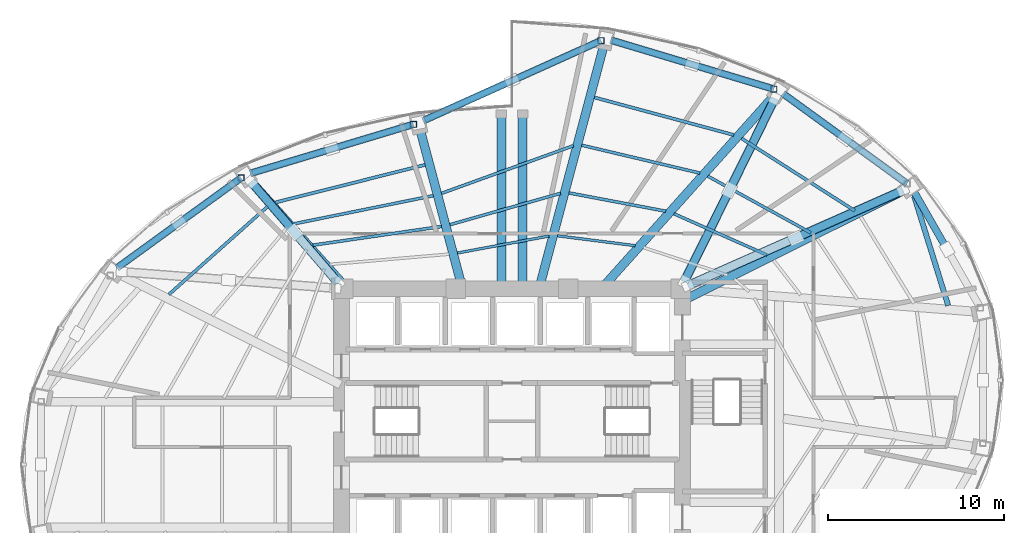
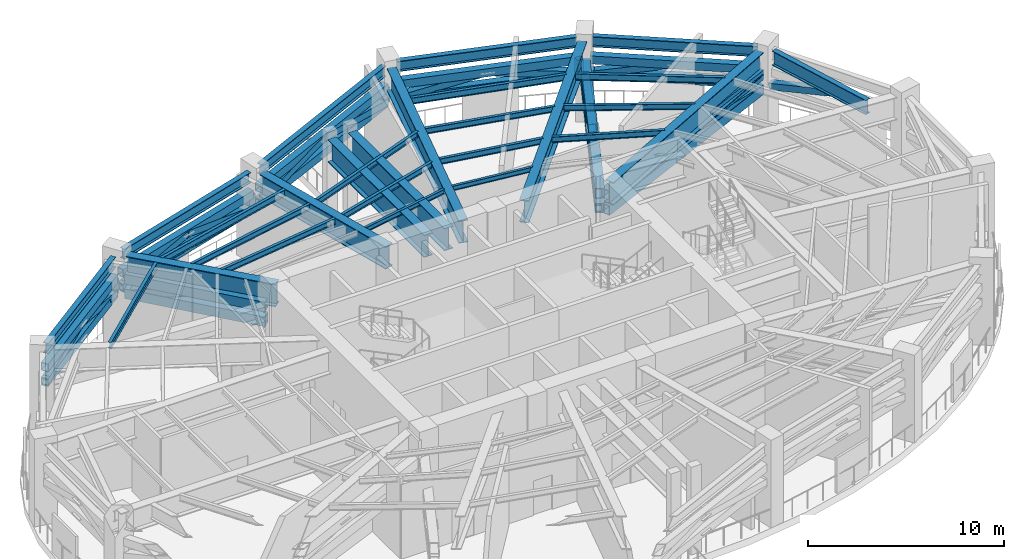
# One storey, part 5 of 14: 34 members, 27 beams.
"""IFC4 building model written with IfcOpenShell, lengths in metres."""

import ifcopenshell
import ifcopenshell.guid

model = None  # the IFC model being written
_history = None  # IfcOwnerHistory: only IFC2X3 demands one
_inside = {}  # id of a spatial element -> (the spatial element, [elements in it])
_under = {}  # id of a project, library or spatial element -> (it, [spatial elements below it])
_declared = {}  # id of a project -> (the project, [libraries it declares])
_typed = {}  # id of a type object -> (the type object, [elements of that type])
_made_of = {}  # id of a material, layer set ... -> (it, [elements and type objects made of it])


def new_model(schema):
    """Start an empty IFC model of exactly this schema.

    Asked for "IFC4X3", IfcOpenShell would pick the latest addendum, in which some entities
    have other attributes; the version numbers below select the first issue.
    IFC2X3 requires an IfcOwnerHistory on every rooted entity: one is made here for all.
    """
    global model, _history
    if schema == "IFC4X3":
        model = ifcopenshell.file(schema_version=(4, 3, 0, 0))
    else:
        model = ifcopenshell.file(schema=schema)
    _inside.clear()
    _under.clear()
    _declared.clear()
    _typed.clear()
    _made_of.clear()
    _history = None
    if model.schema == "IFC2X3":
        org = make("IfcOrganization", Name="unknown")
        user = make(
            "IfcPersonAndOrganization",
            ThePerson=make("IfcPerson", FamilyName="unknown"),
            TheOrganization=org,
        )
        app = make(
            "IfcApplication",
            ApplicationDeveloper=org,
            Version="unknown",
            ApplicationFullName="unknown",
            ApplicationIdentifier="unknown",
        )
        _history = make(
            "IfcOwnerHistory",
            OwningUser=user,
            OwningApplication=app,
            ChangeAction="ADDED",
            CreationDate=0,
        )
    return model


def make(cls, **values):
    """One entity of the class cls with the attributes given. An attribute that is None is left unset."""
    return model.create_entity(
        cls, **{name: value for name, value in values.items() if value is not None}
    )


def rooted(cls, **values):
    """An entity with a GlobalId (a new one), such as an element, a storey or a relation."""
    return make(cls, GlobalId=ifcopenshell.guid.new(), OwnerHistory=_history, **values)


def si_unit(unit_type, name, prefix=None):
    """IfcSIUnit, for example si_unit("LENGTHUNIT", "METRE", prefix="MILLI")."""
    return make("IfcSIUnit", UnitType=unit_type, Prefix=prefix, Name=name)


def assignment(units):
    """IfcUnitAssignment: the units of a project."""
    return None if units is None else make("IfcUnitAssignment", Units=units)


def point(xyz):
    """IfcCartesianPoint."""
    return None if xyz is None else make("IfcCartesianPoint", Coordinates=xyz)


def direction(xyz):
    """IfcDirection."""
    return None if xyz is None else make("IfcDirection", DirectionRatios=xyz)


def frame(location, z_axis=None, x_axis=None):
    """IfcAxis2Placement3D, a coordinate frame: its origin and axes. An axis left out is left unset."""
    return make(
        "IfcAxis2Placement3D",
        Location=point(location),
        Axis=direction(z_axis),
        RefDirection=direction(x_axis),
    )


def frame_2d(location, x_axis=None):
    """IfcAxis2Placement2D, a coordinate frame in the plane: its origin and x axis."""
    return make(
        "IfcAxis2Placement2D", Location=point(location), RefDirection=direction(x_axis)
    )


def origin():
    """The frame at (0, 0, 0) with its axes left unset."""
    return frame((0.0, 0.0, 0.0))


def origin_2d():
    """The frame at (0, 0) in the plane with its x axis left unset."""
    return frame_2d((0.0, 0.0))


def place(relative_to, where):
    """IfcLocalPlacement: puts the frame where relative to a parent placement (None: the world)."""
    return make(
        "IfcLocalPlacement", PlacementRelTo=relative_to, RelativePlacement=where
    )


def context(
    kind, dimensions, precision=None, world=None, true_north=None, identifier=None
):
    """IfcGeometricRepresentationContext, for example the 3D "Model" context."""
    return make(
        "IfcGeometricRepresentationContext",
        ContextIdentifier=identifier,
        ContextType=kind,
        CoordinateSpaceDimension=dimensions,
        Precision=precision,
        WorldCoordinateSystem=world,
        TrueNorth=true_north,
    )


def subcontext(parent, identifier, kind, view, scale=None):
    """IfcGeometricRepresentationSubContext, for example "Body" below "Model"."""
    return make(
        "IfcGeometricRepresentationSubContext",
        ContextIdentifier=identifier,
        ContextType=kind,
        ParentContext=parent,
        TargetScale=scale,
        TargetView=view,
    )


def project(units=None, contexts=None):
    """IfcProject with its units and contexts."""
    return rooted(
        "IfcProject",
        Name="project",
        RepresentationContexts=contexts,
        UnitsInContext=assignment(units),
    )


def spatial(cls, under=None, at=None, **own):
    """A site, building, storey or space (cls), placed at a placement, below another one or the project."""
    s = rooted(cls, ObjectPlacement=at, **own)
    if under is not None:
        _under.setdefault(under.id(), (under, []))[1].append(s)
    return s


def profile(cls, at=None, kind="AREA", **sizes):
    """A parametric profile (cls). Its sizes go by their IFC names, for example OverallWidth=200.0."""
    return make(cls, ProfileType=kind, Position=at, **sizes)


def hollow_rectangle(**sizes):
    """IfcRectangleHollowProfileDef."""
    return profile("IfcRectangleHollowProfileDef", **sizes)


def i_section(**sizes):
    """IfcIShapeProfileDef."""
    return profile("IfcIShapeProfileDef", **sizes)


def extrude(swept, where, along, depth):
    """IfcExtrudedAreaSolid: the profile swept, set in the frame where, extruded along a direction by depth."""
    return make(
        "IfcExtrudedAreaSolid",
        SweptArea=swept,
        Position=where,
        ExtrudedDirection=direction(along),
        Depth=depth,
    )


def shape(context_of_items, identifier, shape_type, items):
    """IfcShapeRepresentation: the items that make up one representation, for example the "Body"."""
    return make(
        "IfcShapeRepresentation",
        ContextOfItems=context_of_items,
        RepresentationIdentifier=identifier,
        RepresentationType=shape_type,
        Items=items,
    )


def material(Name=None, Category=None):
    """IfcMaterial."""
    return make("IfcMaterial", Name=Name, Category=Category)


def material_profile(
    of_material, cross_section, Name=None, Category=None, Priority=None
):
    """IfcMaterialProfile: a cross section and its material."""
    return make(
        "IfcMaterialProfile",
        Name=Name,
        Material=of_material,
        Profile=cross_section,
        Priority=Priority,
        Category=Category,
    )


def profile_set(profiles, Name=None, composite=None):
    """IfcMaterialProfileSet."""
    return make(
        "IfcMaterialProfileSet",
        Name=Name,
        MaterialProfiles=profiles,
        CompositeProfile=composite,
    )


def made_of(thing, what):
    """Note that an element or type object is made of a material, layer set ...; save() writes the relation."""
    if what is not None:
        _made_of.setdefault(what.id(), (what, []))[1].append(thing)
    return thing


def type_object(cls, material=None, **own):
    """A type object (cls), such as IfcWallType, which elements share."""
    return made_of(rooted(cls, **own), material)


def element(
    cls,
    number,
    at=None,
    inside=None,
    cuts=None,
    type_object=None,
    material=None,
    context=None,
    identifier="Body",
    shape_type=None,
    held_by="IfcProductDefinitionShape",
    body=None,
    shapes=None,
    **own,
):
    """One element of the class cls, such as IfcWall. Its Tag is "e" and its number.

    at: its placement. inside: the storey or other place that contains it. cuts: it is an
    opening in that element (IfcRelVoidsElement). A single representation is given by context,
    identifier, shape_type and body (its items); several are given by shapes. held_by: the class
    of the entity that holds the representations. save() writes the other relations.
    """
    e = rooted(cls, Tag="e%d" % number, ObjectPlacement=at, **own)
    if body is not None:
        shapes = [shape(context, identifier, shape_type, body)]
    if shapes is not None:
        e.Representation = make(held_by, Representations=shapes)
    if inside is not None:
        _inside.setdefault(inside.id(), (inside, []))[1].append(e)
    if cuts is not None:
        rooted(
            "IfcRelVoidsElement", RelatingBuildingElement=cuts, RelatedOpeningElement=e
        )
    if type_object is not None:
        _typed.setdefault(type_object.id(), (type_object, []))[1].append(e)
    return made_of(e, material)


def aggregate(whole, parts):
    """IfcRelAggregates: a whole, such as a stair, and the parts it consists of."""
    return rooted("IfcRelAggregates", RelatingObject=whole, RelatedObjects=parts)


def save(model, path):
    """Write the relations noted so far, then the file.

    IfcRelAggregates (storeys below a building ...), IfcRelContainedInSpatialStructure (elements
    in a storey), IfcRelDefinesByType, IfcRelAssociatesMaterial and IfcRelDeclares: one each for
    every whole, place, type object, material and project.
    """
    for whole, parts in _under.values():
        aggregate(whole, parts)
    for where, things in _inside.values():
        rooted(
            "IfcRelContainedInSpatialStructure",
            RelatedElements=things,
            RelatingStructure=where,
        )
    for kind, things in _typed.values():
        rooted("IfcRelDefinesByType", RelatedObjects=things, RelatingType=kind)
    for what, things in _made_of.values():
        rooted("IfcRelAssociatesMaterial", RelatedObjects=things, RelatingMaterial=what)
    for by, libraries in _declared.values():
        rooted("IfcRelDeclares", RelatingContext=by, RelatedDefinitions=libraries)
    model.write(path)


model = new_model("IFC4")

# Units and contexts
model_context = context("Model", 3, precision=1e-05, world=origin(), true_north=direction((0.0, 1.0)))
body_context = subcontext(model_context, "Body", "Model", "MODEL_VIEW")
ifc_project = project(units=[si_unit("LENGTHUNIT", "METRE"), si_unit("AREAUNIT", "SQUARE_METRE"), si_unit("VOLUMEUNIT", "CUBIC_METRE"), si_unit("PLANEANGLEUNIT", "RADIAN"), si_unit("MASSUNIT", "GRAM", prefix="KILO")], contexts=[model_context])

# Site, building, storey
site_placement = place(None, origin())
site = spatial("IfcSite", under=ifc_project, at=site_placement, CompositionType="ELEMENT")
building_placement = place(site_placement, origin())
building = spatial("IfcBuilding", under=site, at=building_placement, Name="Lazwardi Medical Tower", CompositionType="ELEMENT")
storey_placement = place(building_placement, frame((0.0, 0.0, 76.27197265625)))
storey = spatial("IfcBuildingStorey", under=building, at=storey_placement, Name="L19", CompositionType="ELEMENT", Elevation=76.27197265625)

# Beams
ifc_material_1 = material(Name="Steel S460", Category="steel")
ifc_material_profile_1 = material_profile(ifc_material_1, i_section(OverallWidth=0.300048828125, OverallDepth=0.89990234375, WebThickness=0.0185546875, FlangeThickness=0.034912109375, at=origin_2d()), Name="HEB 900")
ifc_profile_set_1 = profile_set([ifc_material_profile_1], Name="Steel S460")
beam_type_1 = type_object("IfcBeamType", Name="BM-HB-01", PredefinedType="BEAM", material=ifc_profile_set_1)
beam_1_placement = place(storey_placement, frame((60.823974609375, 34.649169921875, 4.572021484375), z_axis=(-0.296989979548, 0.954880595702, 0.0), x_axis=(-0.954880595702, -0.296989979548, 0.0)))
element("IfcBeam", 1, at=beam_1_placement, inside=storey, type_object=beam_type_1, Name="Transfer girder tie HB-01 M05 L19", PredefinedType="BEAM", context=body_context, shape_type="SweptSolid", body=[
    extrude(i_section(OverallWidth=0.300048828125, OverallDepth=0.89990234375, WebThickness=0.0185546875, FlangeThickness=0.034912109375, at=origin_2d()), origin(), (0.0, 0.0, 1.0), 6.524658203125),
])
ifc_material_2 = material(Name="Steel S355", Category="steel")
ifc_material_profile_2 = material_profile(ifc_material_2, i_section(OverallWidth=0.300048828125, OverallDepth=0.64990234375, WebThickness=0.01611328125, FlangeThickness=0.031005859375, at=origin_2d()), Name="HEB 650")
ifc_profile_set_2 = profile_set([ifc_material_profile_2], Name="Steel S355")
beam_type_2 = type_object("IfcBeamType", Name="BM-RB-Z1", PredefinedType="BEAM", material=ifc_profile_set_2)
beam_2_placement = place(storey_placement, frame((58.3798828125, 41.660888671875, 4.697021484375), z_axis=(-0.809407079515, 0.587247971159, 0.0), x_axis=(-0.587247971159, -0.809407079515, 0.0)))
element("IfcBeam", 2, at=beam_2_placement, inside=storey, type_object=beam_type_2, Name="Ring beam RB-02 B06 L19", PredefinedType="BEAM", context=body_context, shape_type="SweptSolid", body=[
    extrude(i_section(OverallWidth=0.300048828125, OverallDepth=0.64990234375, WebThickness=0.01611328125, FlangeThickness=0.031005859375, at=origin_2d()), origin(), (0.0, 0.0, 1.0), 8.473876953125),
])
beam_3_placement = place(storey_placement, frame((50.77880859375, 47.0048828125, 4.697021484375), z_axis=(-0.957695289269, 0.287784177662, 0.0), x_axis=(-0.287784177662, -0.957695289269, 0.0)))
element("IfcBeam", 3, at=beam_3_placement, inside=storey, type_object=beam_type_2, Name="Ring beam RB-02 B07 L19", PredefinedType="BEAM", context=body_context, shape_type="SweptSolid", body=[
    extrude(i_section(OverallWidth=0.300048828125, OverallDepth=0.64990234375, WebThickness=0.01611328125, FlangeThickness=0.031005859375, at=origin_2d()), origin(), (0.0, 0.0, 1.0), 9.445556640625),
])
beam_4_placement = place(storey_placement, frame((40.94775390625, 49.671630859375, 4.697021484375), z_axis=(-0.91184908894, -0.410525564368, 0.0), x_axis=(0.410525564368, -0.91184908894, 0.0)))
element("IfcBeam", 4, at=beam_4_placement, inside=storey, type_object=beam_type_2, Name="Ring beam RB-02 B08 L19", PredefinedType="BEAM", context=body_context, shape_type="SweptSolid", body=[
    extrude(i_section(OverallWidth=0.300048828125, OverallDepth=0.64990234375, WebThickness=0.01611328125, FlangeThickness=0.031005859375, at=origin_2d()), origin(), (0.0, 0.0, 1.0), 10.85205078125),
])
beam_5_placement = place(storey_placement, frame((30.26708984375, 44.923095703125, 4.697021484375), z_axis=(-0.957695289269, -0.287784177662, 0.0), x_axis=(0.287784177662, -0.957695289269, 0.0)))
element("IfcBeam", 5, at=beam_5_placement, inside=storey, type_object=beam_type_2, Name="Ring beam RB-02 B09 L19", PredefinedType="BEAM", context=body_context, shape_type="SweptSolid", body=[
    extrude(i_section(OverallWidth=0.300048828125, OverallDepth=0.64990234375, WebThickness=0.01611328125, FlangeThickness=0.031005859375, at=origin_2d()), origin(), (0.0, 0.0, 1.0), 9.445556640625),
])
beam_6_placement = place(storey_placement, frame((20.47900390625, 41.83740234375, 4.697021484375), z_axis=(-0.80939338516, -0.5872668457, 0.0), x_axis=(0.5872668457, -0.80939338516, 0.0)))
element("IfcBeam", 6, at=beam_6_placement, inside=storey, type_object=beam_type_2, Name="Ring beam RB-02 B10 L19", PredefinedType="BEAM", context=body_context, shape_type="SweptSolid", body=[
    extrude(i_section(OverallWidth=0.300048828125, OverallDepth=0.64990234375, WebThickness=0.01611328125, FlangeThickness=0.031005859375, at=origin_2d()), origin(), (0.0, 0.0, 1.0), 8.47412109375),
])
ifc_material_profile_3 = material_profile(ifc_material_2, i_section(OverallWidth=0.179931640625, OverallDepth=0.39990234375, WebThickness=0.008544921875, FlangeThickness=0.013427734375, at=origin_2d()), Name="IPE 400")
ifc_profile_set_3 = profile_set([ifc_material_profile_3], Name="Steel S355")
beam_type_3 = type_object("IfcBeamType", Name="BM-SJ-01", PredefinedType="JOIST", material=ifc_profile_set_3)
beam_7_placement = place(storey_placement, frame((55.50439453125, 40.04443359375, 4.822021484375), z_axis=(-0.842531896871, 0.538646454323, 0.0), x_axis=(-0.538646454323, -0.842531896871, 0.0)))
element("IfcBeam", 7, at=beam_7_placement, inside=storey, type_object=beam_type_3, Name="Secondary joist SJ-01 R1 B06 L19", PredefinedType="JOIST", context=body_context, shape_type="SweptSolid", body=[
    extrude(i_section(OverallWidth=0.179931640625, OverallDepth=0.39990234375, WebThickness=0.008544921875, FlangeThickness=0.013427734375, at=origin_2d()), origin(), (0.0, 0.0, 1.0), 7.639404296875),
])
beam_8_placement = place(storey_placement, frame((48.624755859375, 44.35498046875, 4.822021484375), z_axis=(-0.965541984542, 0.260247336368, 0.0), x_axis=(-0.260247336368, -0.965541984542, 0.0)))
element("IfcBeam", 8, at=beam_8_placement, inside=storey, type_object=beam_type_3, Name="Secondary joist SJ-01 R1 B07 L19", PredefinedType="JOIST", context=body_context, shape_type="SweptSolid", body=[
    extrude(i_section(OverallWidth=0.179931640625, OverallDepth=0.39990234375, WebThickness=0.008544921875, FlangeThickness=0.013427734375, at=origin_2d()), origin(), (0.0, 0.0, 1.0), 8.216064453125),
])
beam_9_placement = place(storey_placement, frame((31.051513671875, 42.656982421875, 4.822021484375), z_axis=(-0.969808661786, -0.243867093978, 0.0), x_axis=(0.243867093978, -0.969808661786, 0.0)))
element("IfcBeam", 9, at=beam_9_placement, inside=storey, type_object=beam_type_3, Name="Secondary joist SJ-01 R1 B09 L19", PredefinedType="JOIST", context=body_context, shape_type="SweptSolid", body=[
    extrude(i_section(OverallWidth=0.179931640625, OverallDepth=0.39990234375, WebThickness=0.008544921875, FlangeThickness=0.013427734375, at=origin_2d()), origin(), (0.0, 0.0, 1.0), 8.7998046875),
])
beam_10_placement = place(storey_placement, frame((22.0966796875, 40.288330078125, 4.822021484375), z_axis=(-0.746527267518, -0.66535482177, 0.0), x_axis=(0.66535482177, -0.746527267518, 0.0)))
element("IfcBeam", 10, at=beam_10_placement, inside=storey, type_object=beam_type_3, Name="Secondary joist SJ-01 R1 B10 L19", PredefinedType="JOIST", context=body_context, shape_type="SweptSolid", body=[
    extrude(i_section(OverallWidth=0.179931640625, OverallDepth=0.39990234375, WebThickness=0.008544921875, FlangeThickness=0.013427734375, at=origin_2d()), origin(), (0.0, 0.0, 1.0), 7.5341796875),
])
ifc_material_profile_4 = material_profile(ifc_material_2, i_section(OverallWidth=0.169921875, OverallDepth=0.360107421875, WebThickness=0.008056640625, FlangeThickness=0.0126953125, at=origin_2d()), Name="IPE 360")
ifc_profile_set_4 = profile_set([ifc_material_profile_4], Name="Steel S355")
beam_type_4 = type_object("IfcBeamType", Name="BM-SJ-02", PredefinedType="JOIST", material=ifc_profile_set_4)
beam_11_placement = place(storey_placement, frame((53.005859375, 38.787841796875, 4.842041015625), z_axis=(-0.876180470539, 0.481983177139, 0.0), x_axis=(-0.481983177139, -0.876180470539, 0.0)))
element("IfcBeam", 11, at=beam_11_placement, inside=storey, type_object=beam_type_4, Name="Secondary joist SJ-02 R2 B06 L19", PredefinedType="JOIST", context=body_context, shape_type="SweptSolid", body=[
    extrude(i_section(OverallWidth=0.169921875, OverallDepth=0.360107421875, WebThickness=0.008056640625, FlangeThickness=0.0126953125, at=origin_2d()), origin(), (0.0, 0.0, 1.0), 6.69140625),
])
beam_12_placement = place(storey_placement, frame((46.68994140625, 42.187255859375, 4.842041015625), z_axis=(-0.973257933772, 0.229715028567, 0.0), x_axis=(-0.229715028567, -0.973257933772, 0.0)))
element("IfcBeam", 12, at=beam_12_placement, inside=storey, type_object=beam_type_4, Name="Secondary joist SJ-02 R2 B07 L19", PredefinedType="JOIST", context=body_context, shape_type="SweptSolid", body=[
    extrude(i_section(OverallWidth=0.169921875, OverallDepth=0.360107421875, WebThickness=0.008056640625, FlangeThickness=0.0126953125, at=origin_2d()), origin(), (0.0, 0.0, 1.0), 6.9072265625),
])
beam_13_placement = place(storey_placement, frame((39.498779296875, 43.746826171875, 4.842041015625), z_axis=(-0.940478985064, -0.339851848095, 0.0), x_axis=(0.339851848095, -0.940478985064, 0.0)))
element("IfcBeam", 13, at=beam_13_placement, inside=storey, type_object=beam_type_4, Name="Secondary joist SJ-02 R2 B08 L19", PredefinedType="JOIST", context=body_context, shape_type="SweptSolid", body=[
    extrude(i_section(OverallWidth=0.169921875, OverallDepth=0.360107421875, WebThickness=0.008056640625, FlangeThickness=0.0126953125, at=origin_2d()), origin(), (0.0, 0.0, 1.0), 7.98388671875),
])
beam_14_placement = place(storey_placement, frame((31.519287109375, 40.901611328125, 4.842041015625), z_axis=(-0.980175636933, -0.198130564937, 0.0), x_axis=(0.198130564937, -0.980175636933, 0.0)))
element("IfcBeam", 14, at=beam_14_placement, inside=storey, type_object=beam_type_4, Name="Secondary joist SJ-02 R2 B09 L19", PredefinedType="JOIST", context=body_context, shape_type="SweptSolid", body=[
    extrude(i_section(OverallWidth=0.169921875, OverallDepth=0.360107421875, WebThickness=0.008056640625, FlangeThickness=0.0126953125, at=origin_2d()), origin(), (0.0, 0.0, 1.0), 8.0859375),
])
beam_15_placement = place(storey_placement, frame((50.50634765625, 37.5263671875, 4.842041015625), z_axis=(-0.914115919269, 0.405452939487, 0.0), x_axis=(-0.405452939487, -0.914115919269, 0.0)))
element("IfcBeam", 15, at=beam_15_placement, inside=storey, type_object=beam_type_4, Name="Secondary joist SJ-02 R3 B06 L19", PredefinedType="JOIST", context=body_context, shape_type="SweptSolid", body=[
    extrude(i_section(OverallWidth=0.169921875, OverallDepth=0.360107421875, WebThickness=0.008056640625, FlangeThickness=0.0126953125, at=origin_2d()), origin(), (0.0, 0.0, 1.0), 5.78369140625),
])
beam_16_placement = place(storey_placement, frame((44.7548828125, 40.01611328125, 4.842041015625), z_axis=(-0.982600100928, 0.185733792445, 0.0), x_axis=(-0.185733792445, -0.982600100928, 0.0)))
element("IfcBeam", 16, at=beam_16_placement, inside=storey, type_object=beam_type_4, Name="Secondary joist SJ-02 R3 B07 L19", PredefinedType="JOIST", context=body_context, shape_type="SweptSolid", body=[
    extrude(i_section(OverallWidth=0.169921875, OverallDepth=0.360107421875, WebThickness=0.008056640625, FlangeThickness=0.0126953125, at=origin_2d()), origin(), (0.0, 0.0, 1.0), 5.60888671875),
])
beam_17_placement = place(storey_placement, frame((38.76708984375, 41.03662109375, 4.842041015625), z_axis=(-0.962085979715, -0.272746343029, 0.0), x_axis=(0.272746343029, -0.962085979715, 0.0)))
element("IfcBeam", 17, at=beam_17_placement, inside=storey, type_object=beam_type_4, Name="Secondary joist SJ-02 R3 B08 L19", PredefinedType="JOIST", context=body_context, shape_type="SweptSolid", body=[
    extrude(i_section(OverallWidth=0.169921875, OverallDepth=0.360107421875, WebThickness=0.008056640625, FlangeThickness=0.0126953125, at=origin_2d()), origin(), (0.0, 0.0, 1.0), 6.549560546875),
])
beam_18_placement = place(storey_placement, frame((31.987548828125, 39.148193359375, 4.842041015625), z_axis=(-0.98962667676, -0.143662941098, 0.0), x_axis=(0.143662941098, -0.98962667676, 0.0)))
element("IfcBeam", 18, at=beam_18_placement, inside=storey, type_object=beam_type_4, Name="Secondary joist SJ-02 R3 B09 L19", PredefinedType="JOIST", context=body_context, shape_type="SweptSolid", body=[
    extrude(i_section(OverallWidth=0.169921875, OverallDepth=0.360107421875, WebThickness=0.008056640625, FlangeThickness=0.0126953125, at=origin_2d()), origin(), (0.0, 0.0, 1.0), 7.39404296875),
])
ifc_material_profile_5 = material_profile(ifc_material_2, i_section(OverallWidth=0.14990234375, OverallDepth=0.300048828125, WebThickness=0.007080078125, FlangeThickness=0.0107421875, at=origin_2d()), Name="IPE 300")
ifc_profile_set_5 = profile_set([ifc_material_profile_5], Name="Steel S355")
beam_type_5 = type_object("IfcBeamType", Name="BM-SJ-03", PredefinedType="JOIST", material=ifc_profile_set_5)
beam_19_placement = place(storey_placement, frame((43.012939453125, 38.05712890625, 4.8720703125), z_axis=(-0.992035793974, 0.125956276045, 0.0), x_axis=(-0.125956276045, -0.992035793974, 0.0)))
element("IfcBeam", 19, at=beam_19_placement, inside=storey, type_object=beam_type_5, Name="Secondary joist SJ-03 R4 B07 L19", PredefinedType="JOIST", context=body_context, shape_type="SweptSolid", body=[
    extrude(i_section(OverallWidth=0.14990234375, OverallDepth=0.300048828125, WebThickness=0.007080078125, FlangeThickness=0.0107421875, at=origin_2d()), origin(), (0.0, 0.0, 1.0), 4.4560546875),
])
beam_20_placement = place(storey_placement, frame((38.1083984375, 38.604736328125, 4.8720703125), z_axis=(-0.983249016834, -0.182267306159, 0.0), x_axis=(0.182267306159, -0.983249016834, 0.0)))
element("IfcBeam", 20, at=beam_20_placement, inside=storey, type_object=beam_type_5, Name="Secondary joist SJ-03 R4 B08 L19", PredefinedType="JOIST", context=body_context, shape_type="SweptSolid", body=[
    extrude(i_section(OverallWidth=0.14990234375, OverallDepth=0.300048828125, WebThickness=0.007080078125, FlangeThickness=0.0107421875, at=origin_2d()), origin(), (0.0, 0.0, 1.0), 5.302978515625),
])
ifc_material_profile_6 = material_profile(ifc_material_1, i_section(OverallWidth=0.5, OverallDepth=1.39990234375, WebThickness=0.028076171875, FlangeThickness=0.044921875, at=origin_2d()), Name="PG 1400x500")
ifc_profile_set_6 = profile_set([ifc_material_profile_6], Name="Steel S460")
beam_type_6 = type_object("IfcBeamType", Name="BM-TG-01", PredefinedType="BEAM", material=ifc_profile_set_6)
for number, where, z_axis, x_axis, name in (
    (21, (35.39990234375, 45.340087890625, 4.322021484375), (0.0, -1.0, 0.0), (1.0, 0.0, 0.0), "Transfer girder TG-01 PL1 L19"),
    (22, (36.60009765625, 45.340087890625, 4.322021484375), (0.0, -1.0, 0.0), (1.0, 0.0, 0.0), "Transfer girder TG-01 PL2 L19"),
):
    element("IfcBeam", number, at=place(storey_placement, frame(where, z_axis=z_axis, x_axis=x_axis)), inside=storey, type_object=beam_type_6, Name=name, PredefinedType="BEAM", context=body_context, shape_type="SweptSolid", body=[
        extrude(i_section(OverallWidth=0.5, OverallDepth=1.39990234375, WebThickness=0.028076171875, FlangeThickness=0.044921875, at=origin_2d()), origin(), (0.0, 0.0, 1.0), 9.840087890625),
    ])
beam_21_placement = place(storey_placement, frame((58.200927734375, 41.1552734375, 4.322021484375), z_axis=(-0.894760291131, -0.446546774052, 0.0), x_axis=(0.446546774052, -0.894760291131, 0.0)))
element("IfcBeam", 23, at=beam_21_placement, inside=storey, type_object=beam_type_6, Name="Transfer girder TG-01 M06 L19", PredefinedType="BEAM", context=body_context, shape_type="SweptSolid", body=[
    extrude(i_section(OverallWidth=0.5, OverallDepth=1.39990234375, WebThickness=0.028076171875, FlangeThickness=0.044921875, at=origin_2d()), origin(), (0.0, 0.0, 1.0), 13.915283203125),
])
beam_22_placement = place(storey_placement, frame((50.794189453125, 46.45166015625, 4.322021484375), z_axis=(-0.666787966344, -0.745247481001, 0.0), x_axis=(0.745247481001, -0.666787966344, 0.0)))
element("IfcBeam", 24, at=beam_22_placement, inside=storey, type_object=beam_type_6, Name="Transfer girder TG-01 M07 L19", PredefinedType="BEAM", context=body_context, shape_type="SweptSolid", body=[
    extrude(i_section(OverallWidth=0.5, OverallDepth=1.39990234375, WebThickness=0.028076171875, FlangeThickness=0.044921875, at=origin_2d()), origin(), (0.0, 0.0, 1.0), 14.494140625),
])
beam_23_placement = place(storey_placement, frame((41.181396484375, 49.28369140625, 4.322021484375), z_axis=(-0.257343842395, -0.966319898782, 0.0), x_axis=(0.966319898782, -0.257343842395, 0.0)))
element("IfcBeam", 25, at=beam_23_placement, inside=storey, type_object=beam_type_6, Name="Transfer girder TG-01 M08 L19", PredefinedType="BEAM", context=body_context, shape_type="SweptSolid", body=[
    extrude(i_section(OverallWidth=0.5, OverallDepth=1.39990234375, WebThickness=0.028076171875, FlangeThickness=0.044921875, at=origin_2d()), origin(), (0.0, 0.0, 1.0), 14.10888671875),
])
beam_24_placement = place(storey_placement, frame((30.818603515625, 44.483642578125, 4.322021484375), z_axis=(0.257343488717, -0.966319992971, 0.0), x_axis=(0.966319992971, 0.257343488717, 0.0)))
element("IfcBeam", 26, at=beam_24_placement, inside=storey, type_object=beam_type_6, Name="Transfer girder TG-01 M09 L19", PredefinedType="BEAM", context=body_context, shape_type="SweptSolid", body=[
    extrude(i_section(OverallWidth=0.5, OverallDepth=1.39990234375, WebThickness=0.028076171875, FlangeThickness=0.044921875, at=origin_2d()), origin(), (0.0, 0.0, 1.0), 9.1416015625),
])
beam_25_placement = place(storey_placement, frame((21.205810546875, 41.651611328125, 4.322021484375), z_axis=(0.66678954258, -0.745246070709, 0.0), x_axis=(0.745246070709, 0.66678954258, 0.0)))
element("IfcBeam", 27, at=beam_25_placement, inside=storey, type_object=beam_type_6, Name="Transfer girder TG-01 M10 L19", PredefinedType="BEAM", context=body_context, shape_type="SweptSolid", body=[
    extrude(i_section(OverallWidth=0.5, OverallDepth=1.39990234375, WebThickness=0.028076171875, FlangeThickness=0.044921875, at=origin_2d()), origin(), (0.0, 0.0, 1.0), 8.05322265625),
])

# Members
ifc_material_profile_7 = material_profile(ifc_material_1, hollow_rectangle(XDim=0.39990234375, YDim=0.5, WallThickness=0.02490234375, at=origin_2d()), Name="RHS 500x400x25")
ifc_profile_set_7 = profile_set([ifc_material_profile_7], Name="Steel S460")
member_type_1 = type_object("IfcMemberType", Name="MEM-BC-01", PredefinedType="CHORD", material=ifc_profile_set_7)
for number, where, z_axis, x_axis, name in (
    (28, (58.485107421875, 41.58447265625, 2.679931640625), (-0.809399182415, 0.587258855621, 0.0), (-0.587258855621, -0.809399182415, 0.0), "Belt truss bottom chord BC-01 B06 L19"),
    (29, (58.485107421875, 41.58447265625, 3.60009765625), (-0.809399182415, 0.587258855621, 0.0), (-0.587258855621, -0.809399182415, 0.0), "Belt truss top chord BC-01 B06 L19"),
):
    element("IfcMember", number, at=place(storey_placement, frame(where, z_axis=z_axis, x_axis=x_axis)), inside=storey, type_object=member_type_1, Name=name, PredefinedType="CHORD", context=body_context, shape_type="SweptSolid", body=[
        extrude(hollow_rectangle(XDim=0.39990234375, YDim=0.5, WallThickness=0.02490234375, at=origin_2d()), origin(), (0.0, 0.0, 1.0), 8.734130859375),
    ])
for number, where, z_axis, x_axis, name in (
    (30, (50.9033203125, 46.96728515625, 2.679931640625), (-0.957691868037, 0.287795562676, 0.0), (-0.287795562676, -0.957691868037, 0.0), "Belt truss bottom chord BC-01 B07 L19"),
    (31, (50.9033203125, 46.96728515625, 3.60009765625), (-0.957691868037, 0.287795562676, 0.0), (-0.287795562676, -0.957691868037, 0.0), "Belt truss top chord BC-01 B07 L19"),
):
    element("IfcMember", number, at=place(storey_placement, frame(where, z_axis=z_axis, x_axis=x_axis)), inside=storey, type_object=member_type_1, Name=name, PredefinedType="CHORD", context=body_context, shape_type="SweptSolid", body=[
        extrude(hollow_rectangle(XDim=0.39990234375, YDim=0.5, WallThickness=0.02490234375, at=origin_2d()), origin(), (0.0, 0.0, 1.0), 9.70556640625),
    ])
for number, where, z_axis, x_axis, name in (
    (32, (41.06640625, 49.72509765625, 2.679931640625), (-0.911845850519, -0.410532757392, 0.0), (0.410532757392, -0.911845850519, 0.0), "Belt truss bottom chord BC-01 B08 L19"),
    (33, (41.06640625, 49.72509765625, 3.60009765625), (-0.911845850519, -0.410532757392, 0.0), (0.410532757392, -0.911845850519, 0.0), "Belt truss top chord BC-01 B08 L19"),
):
    element("IfcMember", number, at=place(storey_placement, frame(where, z_axis=z_axis, x_axis=x_axis)), inside=storey, type_object=member_type_1, Name=name, PredefinedType="CHORD", context=body_context, shape_type="SweptSolid", body=[
        extrude(hollow_rectangle(XDim=0.39990234375, YDim=0.5, WallThickness=0.02490234375, at=origin_2d()), origin(), (0.0, 0.0, 1.0), 11.1123046875),
    ])
for number, where, z_axis, x_axis, name in (
    (34, (30.3916015625, 44.960693359375, 2.679931640625), (-0.957691868037, -0.287795562676, 0.0), (0.287795562676, -0.957691868037, 0.0), "Belt truss bottom chord BC-01 B09 L19"),
    (35, (30.3916015625, 44.960693359375, 3.60009765625), (-0.957691868037, -0.287795562676, 0.0), (0.287795562676, -0.957691868037, 0.0), "Belt truss top chord BC-01 B09 L19"),
):
    element("IfcMember", number, at=place(storey_placement, frame(where, z_axis=z_axis, x_axis=x_axis)), inside=storey, type_object=member_type_1, Name=name, PredefinedType="CHORD", context=body_context, shape_type="SweptSolid", body=[
        extrude(hollow_rectangle(XDim=0.39990234375, YDim=0.5, WallThickness=0.02490234375, at=origin_2d()), origin(), (0.0, 0.0, 1.0), 9.70556640625),
    ])
for number, where, z_axis, x_axis, name in (
    (36, (20.584228515625, 41.91357421875, 2.679931640625), (-0.809399182415, -0.587258855621, 0.0), (0.587258855621, -0.809399182415, 0.0), "Belt truss bottom chord BC-01 B10 L19"),
    (37, (20.584228515625, 41.91357421875, 3.60009765625), (-0.809399182415, -0.587258855621, 0.0), (0.587258855621, -0.809399182415, 0.0), "Belt truss top chord BC-01 B10 L19"),
):
    element("IfcMember", number, at=place(storey_placement, frame(where, z_axis=z_axis, x_axis=x_axis)), inside=storey, type_object=member_type_1, Name=name, PredefinedType="CHORD", context=body_context, shape_type="SweptSolid", body=[
        extrude(hollow_rectangle(XDim=0.39990234375, YDim=0.5, WallThickness=0.02490234375, at=origin_2d()), origin(), (0.0, 0.0, 1.0), 8.734130859375),
    ])
ifc_material_profile_8 = material_profile(ifc_material_1, hollow_rectangle(XDim=0.39990234375, YDim=0.39990234375, WallThickness=0.02001953125, at=origin_2d()), Name="RHS 400x400x20")
ifc_profile_set_8 = profile_set([ifc_material_profile_8], Name="Steel S460")
member_type_2 = type_object("IfcMemberType", Name="MEM-BD-01", PredefinedType="BRACE", material=ifc_profile_set_8)
member_1_placement = place(storey_placement, frame((58.86376953125, 41.162353515625, 2.679931640625), z_axis=(0.482034156519, -0.844351062114, 0.233910999861), x_axis=(0.868443407706, 0.495788309273, 0.0)))
element("IfcMember", 38, at=member_1_placement, inside=storey, type_object=member_type_2, Name="Belt truss diagonal BD-01 B05B L19", PredefinedType="BRACE", context=body_context, shape_type="SweptSolid", body=[
    extrude(hollow_rectangle(XDim=0.39990234375, YDim=0.39990234375, WallThickness=0.02001953125, at=origin_2d()), origin(), (0.0, 0.0, 1.0), 3.933837890625),
])
member_2_placement = place(storey_placement, frame((51.415771484375, 46.713623046875, 2.679931640625), z_axis=(0.792020878496, -0.574622690132, 0.206183636625), x_axis=(0.587240542583, 0.809412469108, 0.0)))
element("IfcMember", 39, at=member_2_placement, inside=storey, type_object=member_type_2, Name="Belt truss diagonal BD-01 B06B L19", PredefinedType="BRACE", context=body_context, shape_type="SweptSolid", body=[
    extrude(hollow_rectangle(XDim=0.39990234375, YDim=0.39990234375, WallThickness=0.02001953125, at=origin_2d()), origin(), (0.0, 0.0, 1.0), 4.462890625),
])
for number, where, z_axis, x_axis, name in (
    (40, (50.9033203125, 46.96728515625, 2.679931640625), (-0.940919431444, 0.282779999332, 0.186295720588), (-0.287818633707, -0.957684934669, 0.0), "Belt truss diagonal BD-01 B07A L19"),
    (41, (41.6083984375, 49.760498046875, 2.679931640625), (0.940932582148, -0.282734522478, 0.186298324339), (0.287772491145, 0.95769880095, 0.0), "Belt truss diagonal BD-01 B07B L19"),
):
    element("IfcMember", number, at=place(storey_placement, frame(where, z_axis=z_axis, x_axis=x_axis)), inside=storey, type_object=member_type_2, Name=name, PredefinedType="BRACE", context=body_context, shape_type="SweptSolid", body=[
        extrude(hollow_rectangle(XDim=0.39990234375, YDim=0.39990234375, WallThickness=0.02001953125, at=origin_2d()), origin(), (0.0, 0.0, 1.0), 4.939208984375),
    ])
for number, where, z_axis, x_axis, name in (
    (42, (41.06640625, 49.72509765625, 2.679931640625), (-0.899592819429, -0.405016177329, 0.163384991154), (0.410532757392, -0.911845850519, 0.0), "Belt truss diagonal BD-01 B08A L19"),
    (43, (30.93359375, 45.1630859375, 2.679931640625), (0.899592819429, 0.405016177329, 0.163384991154), (-0.410532757392, 0.911845850519, 0.0), "Belt truss diagonal BD-01 B08B L19"),
):
    element("IfcMember", number, at=place(storey_placement, frame(where, z_axis=z_axis, x_axis=x_axis)), inside=storey, type_object=member_type_2, Name=name, PredefinedType="BRACE", context=body_context, shape_type="SweptSolid", body=[
        extrude(hollow_rectangle(XDim=0.39990234375, YDim=0.39990234375, WallThickness=0.02001953125, at=origin_2d()), origin(), (0.0, 0.0, 1.0), 5.6318359375),
    ])
for number, where, z_axis, x_axis, name in (
    (44, (30.3916015625, 44.960693359375, 2.679931640625), (-0.940919431444, -0.282779999332, 0.186295720588), (0.287818633707, -0.957684934669, 0.0), "Belt truss diagonal BD-01 B09A L19"),
    (45, (21.0966796875, 42.16748046875, 2.679931640625), (0.940932582148, 0.282734522478, 0.186298324339), (-0.287772491145, 0.95769880095, 0.0), "Belt truss diagonal BD-01 B09B L19"),
):
    element("IfcMember", number, at=place(storey_placement, frame(where, z_axis=z_axis, x_axis=x_axis)), inside=storey, type_object=member_type_2, Name=name, PredefinedType="BRACE", context=body_context, shape_type="SweptSolid", body=[
        extrude(hollow_rectangle(XDim=0.39990234375, YDim=0.39990234375, WallThickness=0.02001953125, at=origin_2d()), origin(), (0.0, 0.0, 1.0), 4.939208984375),
    ])
for number, where, z_axis, x_axis, name in (
    (46, (20.584228515625, 41.91357421875, 2.679931640625), (-0.792020878496, -0.574622690132, 0.206183636625), (0.587240542583, -0.809412469108, 0.0), "Belt truss diagonal BD-01 B10A L19"),
    (47, (13.514892578125, 36.784423828125, 2.679931640625), (0.79199598146, 0.57465933038, 0.206177155279), (-0.587277167758, 0.809385895745, 0.0), "Belt truss diagonal BD-01 B10B L19"),
):
    element("IfcMember", number, at=place(storey_placement, frame(where, z_axis=z_axis, x_axis=x_axis)), inside=storey, type_object=member_type_2, Name=name, PredefinedType="BRACE", context=body_context, shape_type="SweptSolid", body=[
        extrude(hollow_rectangle(XDim=0.39990234375, YDim=0.39990234375, WallThickness=0.02001953125, at=origin_2d()), origin(), (0.0, 0.0, 1.0), 4.462890625),
    ])
ifc_material_profile_9 = material_profile(ifc_material_2, hollow_rectangle(XDim=0.35009765625, YDim=0.35009765625, WallThickness=0.01611328125, at=origin_2d()), Name="RHS 350x350x16")
ifc_profile_set_9 = profile_set([ifc_material_profile_9], Name="Steel S355")
member_type_3 = type_object("IfcMemberType", Name="MEM-BV-01", PredefinedType="POST", material=ifc_profile_set_9)
for number, where, z_axis, x_axis, name in (
    (48, (50.9033203125, 46.96728515625, 2.679931640625), (0.0, 0.0, 1.0), (1.0, 0.0, 0.0), "Belt truss post BV-01 B07 L19"),
    (49, (41.06640625, 49.72509765625, 2.679931640625), (0.0, 0.0, 1.0), (1.0, 0.0, 0.0), "Belt truss post BV-01 B08 L19"),
    (50, (30.3916015625, 44.960693359375, 2.679931640625), (0.0, 0.0, 1.0), (1.0, 0.0, 0.0), "Belt truss post BV-01 B09 L19"),
    (51, (20.584228515625, 41.91357421875, 2.679931640625), (0.0, 0.0, 1.0), (1.0, 0.0, 0.0), "Belt truss post BV-01 B10 L19"),
):
    element("IfcMember", number, at=place(storey_placement, frame(where, z_axis=z_axis, x_axis=x_axis)), inside=storey, type_object=member_type_3, Name=name, PredefinedType="POST", context=body_context, shape_type="SweptSolid", body=[
        extrude(hollow_rectangle(XDim=0.35009765625, YDim=0.35009765625, WallThickness=0.01611328125, at=origin_2d()), origin(), (0.0, 0.0, 1.0), 0.920166015625),
    ])
ifc_material_profile_10 = material_profile(ifc_material_1, hollow_rectangle(XDim=0.5, YDim=0.60009765625, WallThickness=0.030029296875, at=origin_2d()), Name="RHS 600x500x30")
ifc_profile_set_10 = profile_set([ifc_material_profile_10], Name="Steel S460")
member_type_4 = type_object("IfcMemberType", Name="MEM-OC-01", PredefinedType="CHORD", material=ifc_profile_set_10)
for number, where, z_axis, x_axis, name in (
    (52, (46.011474609375, 35.7822265625, 2.679931640625), (0.914241680886, 0.405169284289, 0.0), (-0.405169284289, 0.914241680886, 0.0), "Outrigger truss bottom chord OC-01 OR5 L19"),
    (53, (46.011474609375, 35.7822265625, 3.60009765625), (0.914241680886, 0.405169284289, 0.0), (-0.405169284289, 0.914241680886, 0.0), "Outrigger truss top chord OC-01 OR5 L19"),
):
    element("IfcMember", number, at=place(storey_placement, frame(where, z_axis=z_axis, x_axis=x_axis)), inside=storey, type_object=member_type_4, Name=name, PredefinedType="CHORD", context=body_context, shape_type="SweptSolid", body=[
        extrude(hollow_rectangle(XDim=0.5, YDim=0.60009765625, WallThickness=0.030029296875, at=origin_2d()), origin(), (0.0, 0.0, 1.0), 13.3955078125),
    ])
for number, where, z_axis, x_axis, name in (
    (54, (45.799560546875, 36.00341796875, 2.679931640625), (0.443331161961, 0.896357897736, 0.0), (-0.896357897736, 0.443331161961, 0.0), "Outrigger truss bottom chord OC-01 OR6 L19"),
    (55, (45.799560546875, 36.00341796875, 3.60009765625), (0.443331161961, 0.896357897736, 0.0), (-0.896357897736, 0.443331161961, 0.0), "Outrigger truss top chord OC-01 OR6 L19"),
):
    element("IfcMember", number, at=place(storey_placement, frame(where, z_axis=z_axis, x_axis=x_axis)), inside=storey, type_object=member_type_4, Name=name, PredefinedType="CHORD", context=body_context, shape_type="SweptSolid", body=[
        extrude(hollow_rectangle(XDim=0.5, YDim=0.60009765625, WallThickness=0.030029296875, at=origin_2d()), origin(), (0.0, 0.0, 1.0), 11.633544921875),
    ])
for number, where, z_axis, x_axis, name in (
    (56, (26.1064453125, 35.941162109375, 2.679931640625), (-0.652371967873, 0.757898948101, 0.0), (-0.757898948101, -0.652371967873, 0.0), "Outrigger truss bottom chord OC-01 OR7 L19"),
    (57, (26.1064453125, 35.941162109375, 3.60009765625), (-0.652371967873, 0.757898948101, 0.0), (-0.757898948101, -0.652371967873, 0.0), "Outrigger truss top chord OC-01 OR7 L19"),
):
    element("IfcMember", number, at=place(storey_placement, frame(where, z_axis=z_axis, x_axis=x_axis)), inside=storey, type_object=member_type_4, Name=name, PredefinedType="CHORD", context=body_context, shape_type="SweptSolid", body=[
        extrude(hollow_rectangle(XDim=0.5, YDim=0.60009765625, WallThickness=0.030029296875, at=origin_2d()), origin(), (0.0, 0.0, 1.0), 7.599853515625),
    ])
ifc_material_profile_11 = material_profile(ifc_material_1, hollow_rectangle(XDim=0.449951171875, YDim=0.449951171875, WallThickness=0.02197265625, at=origin_2d()), Name="RHS 450x450x22")
ifc_profile_set_11 = profile_set([ifc_material_profile_11], Name="Steel S460")
member_type_5 = type_object("IfcMemberType", Name="MEM-OD-01", PredefinedType="BRACE", material=ifc_profile_set_11)
member_3_placement = place(storey_placement, frame((58.25830078125, 41.209716796875, 2.679931640625), z_axis=(-0.905743964878, -0.401377249407, 0.136103540532), x_axis=(0.405147299773, -0.914251423563, 0.0)))
element("IfcMember", 58, at=member_3_placement, inside=storey, type_object=member_type_5, Name="Outrigger truss diagonal OD-01 OR5B L19", PredefinedType="BRACE", context=body_context, shape_type="SweptSolid", body=[
    extrude(hollow_rectangle(XDim=0.449951171875, YDim=0.449951171875, WallThickness=0.02197265625, at=origin_2d()), origin(), (0.0, 0.0, 1.0), 6.7607421875),
])
member_4_placement = place(storey_placement, frame((45.799560546875, 36.00341796875, 2.679931640625), z_axis=(0.437902707765, 0.885340360413, 0.156248727215), x_axis=(-0.896349558132, 0.443348023157, 0.0)))
element("IfcMember", 59, at=member_4_placement, inside=storey, type_object=member_type_5, Name="Outrigger truss diagonal OD-01 OR6A L19", PredefinedType="BRACE", context=body_context, shape_type="SweptSolid", body=[
    extrude(hollow_rectangle(XDim=0.449951171875, YDim=0.449951171875, WallThickness=0.02197265625, at=origin_2d()), origin(), (0.0, 0.0, 1.0), 5.88916015625),
])
member_5_placement = place(storey_placement, frame((50.95703125, 46.43115234375, 2.679931640625), z_axis=(-0.437869200177, -0.885356432397, 0.156251563669), x_axis=(0.896366237179, -0.443314300294, 0.0)))
element("IfcMember", 60, at=member_5_placement, inside=storey, type_object=member_type_5, Name="Outrigger truss diagonal OD-01 OR6B L19", PredefinedType="BRACE", context=body_context, shape_type="SweptSolid", body=[
    extrude(hollow_rectangle(XDim=0.449951171875, YDim=0.449951171875, WallThickness=0.02197265625, at=origin_2d()), origin(), (0.0, 0.0, 1.0), 5.888916015625),
])
member_6_placement = place(storey_placement, frame((21.1484375, 41.701171875, 2.679931640625), z_axis=(0.634062156796, -0.736596139606, 0.235353581738), x_axis=(0.757885276022, 0.652387851197, 0.0)))
element("IfcMember", 61, at=member_6_placement, inside=storey, type_object=member_type_5, Name="Outrigger truss diagonal OD-01 OR7B L19", PredefinedType="BRACE", context=body_context, shape_type="SweptSolid", body=[
    extrude(hollow_rectangle(XDim=0.449951171875, YDim=0.449951171875, WallThickness=0.02197265625, at=origin_2d()), origin(), (0.0, 0.0, 1.0), 3.90966796875),
])

save(model, "model.ifc")
